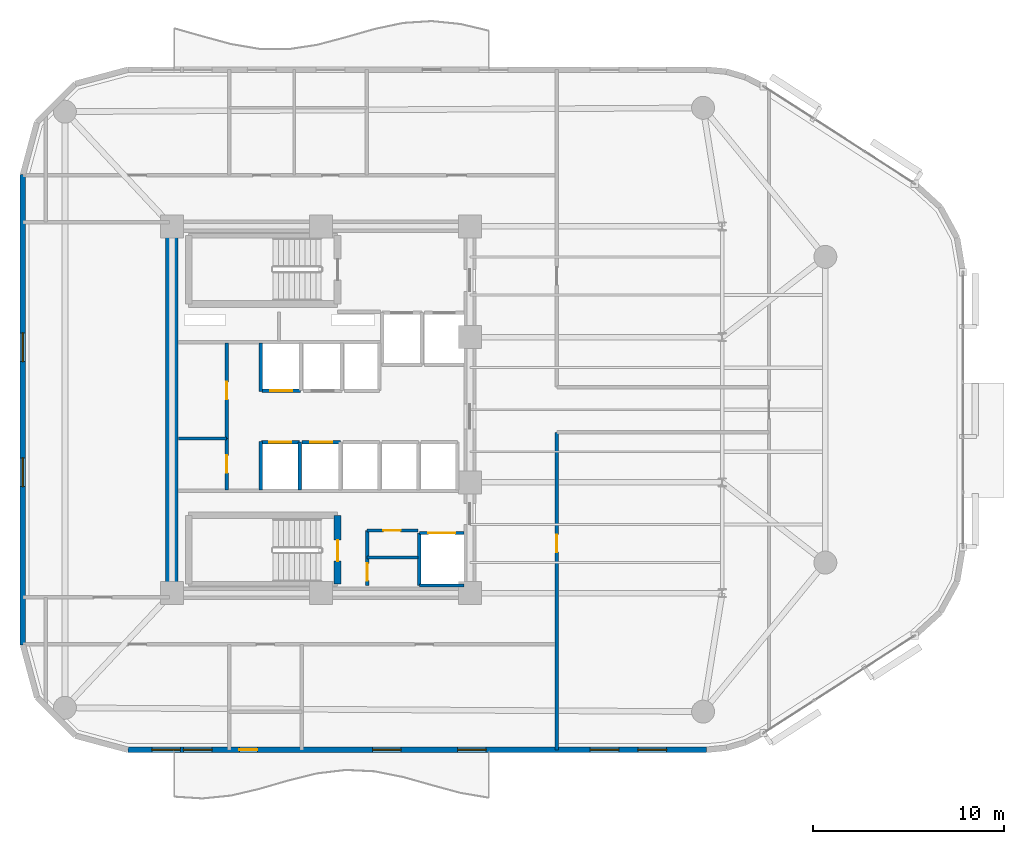
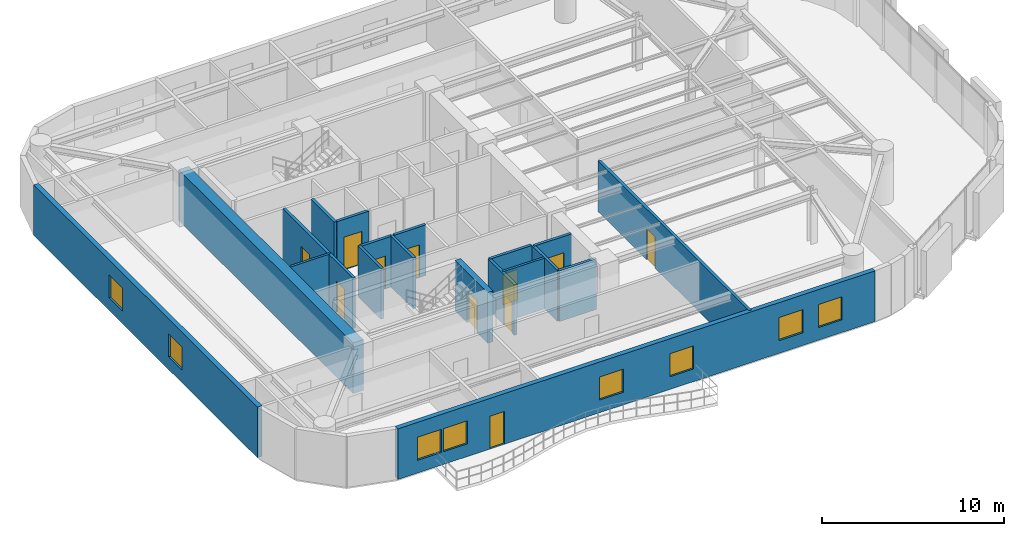
# One storey, part 10 of 14: 20 walls, 11 doors, 8 windows, 19 openings.
"""IFC4 building model written with IfcOpenShell, lengths in metres."""

from ifc_helpers import new_model, si_unit, direction, frame, frame_2d, origin, place, context, subcontext, project, spatial, rectangle, extrude, material, layer, layer_set, type_object, element, fill, save


model = new_model("IFC4")

# Units and contexts
model_context = context("Model", 3, precision=1e-05, world=origin(), true_north=direction((0.0, 1.0)))
body_context = subcontext(model_context, "Body", "Model", "MODEL_VIEW")
ifc_project = project(units=[si_unit("LENGTHUNIT", "METRE"), si_unit("AREAUNIT", "SQUARE_METRE"), si_unit("VOLUMEUNIT", "CUBIC_METRE"), si_unit("PLANEANGLEUNIT", "RADIAN"), si_unit("MASSUNIT", "GRAM", prefix="KILO")], contexts=[model_context])

# Site, building, storey
site_placement = place(None, origin())
site = spatial("IfcSite", under=ifc_project, at=site_placement, CompositionType="ELEMENT")
building_placement = place(site_placement, origin())
building = spatial("IfcBuilding", under=site, at=building_placement, Name="An Khanh Terracotta Commons", CompositionType="ELEMENT")
storey_placement = place(building_placement, frame((0.0, 0.0, 154.60009765625)))
storey = spatial("IfcBuildingStorey", under=building, at=storey_placement, Name="L40", CompositionType="ELEMENT", Elevation=154.60009765625)

# Wall
ifc_material_1 = material(Name="Concrete C60/75", Category="concrete")
ifc_layer_1 = layer(ifc_material_1, 0.64990234375, Name="Concrete C60/75")
ifc_layer_set_1 = layer_set([ifc_layer_1], Name="Concrete C60/75")
wall_type_1 = type_object("IfcWallType", Name="WALL-CORE-650", PredefinedType="SHEAR", material=ifc_layer_set_1)
wall_1_placement = place(storey_placement, frame((21.60009765625, 14.39990234375, 0.0), z_axis=(0.0, 0.0, 1.0), x_axis=(0.0, 1.0, 0.0)))
element("IfcWall", 1, at=wall_1_placement, inside=storey, type_object=wall_type_1, Name="L40 Core Wall CWALL-L40-W", PredefinedType="SHEAR", context=body_context, shape_type="SweptSolid", body=[
    extrude(rectangle(XDim=19.2001953125, YDim=0.64990234375, at=frame_2d((9.60009765625, 0.0))), origin(), (0.0, 0.0, 1.0), 3.39990234375),
])

# Wall, opening, door
ifc_material_2 = material(Name="Fire-Rated Gypsum Board on Steel Stud", Category="steel")
ifc_layer_2 = layer(ifc_material_2, 0.179931640625, Name="Fire-Rated Gypsum Board on Steel Stud")
ifc_layer_set_2 = layer_set([ifc_layer_2], Name="Fire-Rated Gypsum Board on Steel Stud")
wall_type_2 = type_object("IfcWallType", Name="WALL-CORR-180", PredefinedType="PARTITIONING", material=ifc_layer_set_2)
wall_2_placement = place(storey_placement, frame((31.820068359375, 17.679931640625, 0.0), z_axis=(0.0, 0.0, 1.0), x_axis=(1.0, 0.0, 0.0)))
wall_2 = element("IfcWall", 2, at=wall_2_placement, inside=storey, type_object=wall_type_2, Name="L40 Core Wall SSVCW-L40-N", PredefinedType="PARTITIONING", context=body_context, shape_type="SweptSolid", body=[
    extrude(rectangle(XDim=2.659912109375, YDim=0.179931640625, at=frame_2d((1.330078125, 0.0))), origin(), (0.0, 0.0, 1.0), 3.39990234375),
])
opening_1_placement = place(wall_2_placement, frame((0.85009765625, 0.0, 0.0)))
opening_1 = element("IfcOpeningElement", 3, at=opening_1_placement, cuts=wall_2, Name="Opening D-SV", PredefinedType="OPENING", context=body_context, shape_type="SweptSolid", body=[
    extrude(rectangle(XDim=0.89990234375, YDim=2.050048828125, at=frame_2d((0.449951171875, 1.02490234375))), frame((0.0, 0.099853515625, 0.0), z_axis=(0.0, -1.0, 0.0), x_axis=(1.0, 0.0, 0.0)), (0.0, 0.0, 1.0), 0.199951171875),
])
ifc_material_3 = material(Name="Fire-Rated Powder-Coated Steel Door", Category="steel")
door_type_1 = type_object("IfcDoorType", Name="DOOR-SERV-900", OperationType="NOTDEFINED", PredefinedType="DOOR", material=ifc_material_3)
door_1_placement = place(opening_1_placement, origin())
door_1 = element("IfcDoor", 4, at=door_1_placement, inside=storey, type_object=door_type_1, Name="L40 Core Cleaner Store Door", OperationType="SINGLE_SWING_RIGHT", OverallHeight=2.050048828125, OverallWidth=0.89990234375, PredefinedType="DOOR", context=body_context, shape_type="SweptSolid", body=[
    extrude(rectangle(XDim=0.89990234375, YDim=2.050048828125, at=frame_2d((0.449951171875, 1.02490234375))), frame((0.0, 0.02490234375, 0.0), z_axis=(0.0, -1.0, 0.0), x_axis=(1.0, 0.0, 0.0)), (0.0, 0.0, 1.0), 0.050048828125),
])
fill(opening_1, door_1)

wall_3_placement = place(storey_placement, frame((31.820068359375, 14.800048828125, 0.0), z_axis=(0.0, 0.0, 1.0), x_axis=(0.0, 1.0, 0.0)))
wall_3 = element("IfcWall", 5, at=wall_3_placement, inside=storey, type_object=wall_type_2, Name="L40 Core Wall SSVCW-L40-W", PredefinedType="PARTITIONING", context=body_context, shape_type="SweptSolid", body=[
    extrude(rectangle(XDim=2.8798828125, YDim=0.179931640625, at=frame_2d((1.43994140625, 0.0))), origin(), (0.0, 0.0, 1.0), 3.39990234375),
])
opening_2_placement = place(wall_3_placement, frame((0.260009765625, 0.0, 0.0)))
opening_2 = element("IfcOpeningElement", 6, at=opening_2_placement, cuts=wall_3, Name="Opening D-SV", PredefinedType="OPENING", context=body_context, shape_type="SweptSolid", body=[
    extrude(rectangle(XDim=0.89990234375, YDim=2.050048828125, at=frame_2d((0.449951171875, 1.02490234375))), frame((0.0, 0.099853515625, 0.0), z_axis=(0.0, -1.0, 0.0), x_axis=(1.0, 0.0, 0.0)), (0.0, 0.0, 1.0), 0.199951171875),
])
door_2_placement = place(opening_2_placement, origin())
door_2 = element("IfcDoor", 7, at=door_2_placement, inside=storey, type_object=door_type_1, Name="L40 Telecoms BMS Cupboard Door", OperationType="SINGLE_SWING_LEFT", OverallHeight=2.050048828125, OverallWidth=0.89990234375, PredefinedType="DOOR", context=body_context, shape_type="SweptSolid", body=[
    extrude(rectangle(XDim=0.89990234375, YDim=2.050048828125, at=frame_2d((0.449951171875, 1.02490234375))), frame((0.0, 0.02490234375, 0.0), z_axis=(0.0, -1.0, 0.0), x_axis=(1.0, 0.0, 0.0)), (0.0, 0.0, 1.0), 0.050048828125),
])
fill(opening_2, door_2)

wall_4_placement = place(storey_placement, frame((34.550048828125, 17.550048828125, 0.0), z_axis=(0.0, 0.0, 1.0), x_axis=(1.0, 0.0, 0.0)))
wall_4 = element("IfcWall", 8, at=wall_4_placement, inside=storey, type_object=wall_type_2, Name="L40 Core Wall LSH-L40-SVL-01-N", PredefinedType="PARTITIONING", context=body_context, shape_type="SweptSolid", body=[
    extrude(rectangle(XDim=2.349853515625, YDim=0.179931640625, at=frame_2d((1.1748046875, 0.0))), origin(), (0.0, 0.0, 1.0), 3.39990234375),
])
opening_3_placement = place(wall_4_placement, frame((0.47509765625, 0.0, 0.0)))
opening_3 = element("IfcOpeningElement", 9, at=opening_3_placement, cuts=wall_4, Name="Opening LD-SVL-01-L40", PredefinedType="OPENING", context=body_context, shape_type="SweptSolid", body=[
    extrude(rectangle(XDim=1.39990234375, YDim=2.300048828125, at=frame_2d((0.699951171875, 1.14990234375))), frame((0.0, 0.099853515625, 0.0), z_axis=(0.0, -1.0, 0.0), x_axis=(1.0, 0.0, 0.0)), (0.0, 0.0, 1.0), 0.199951171875),
])
ifc_material_4 = material(Name="Heavy-Duty Stainless Steel Goods Landing Door", Category="steel")
door_type_2 = type_object("IfcDoorType", Name="DOOR-LD-SVL-1400", OperationType="NOTDEFINED", PredefinedType="DOOR", material=ifc_material_4)
door_3_placement = place(opening_3_placement, origin())
door_3 = element("IfcDoor", 10, at=door_3_placement, inside=storey, type_object=door_type_2, Name="L40 Lift SVL-01 Sliding Landing Door", OperationType="DOUBLE_DOOR_SLIDING", OverallHeight=2.300048828125, OverallWidth=1.39990234375, PredefinedType="DOOR", context=body_context, shape_type="SweptSolid", body=[
    extrude(rectangle(XDim=1.39990234375, YDim=2.300048828125, at=frame_2d((0.699951171875, 1.14990234375))), frame((0.0, 0.02490234375, 0.0), z_axis=(0.0, -1.0, 0.0), x_axis=(1.0, 0.0, 0.0)), (0.0, 0.0, 1.0), 0.050048828125),
])
fill(opening_3, door_3)

# Walls
wall_5_placement = place(storey_placement, frame((36.89990234375, 14.800048828125, 0.0), z_axis=(0.0, 0.0, 1.0), x_axis=(-1.0, 0.0, 0.0)))
element("IfcWall", 11, at=wall_5_placement, inside=storey, type_object=wall_type_2, Name="L40 Core Wall LSH-L40-SVL-01-S", PredefinedType="PARTITIONING", context=body_context, shape_type="SweptSolid", body=[
    extrude(rectangle(XDim=2.349853515625, YDim=0.179931640625, at=frame_2d((1.1748046875, 0.0))), origin(), (0.0, 0.0, 1.0), 3.39990234375),
])
wall_6_placement = place(storey_placement, frame((34.550048828125, 17.550048828125, 0.0), z_axis=(0.0, 0.0, 1.0), x_axis=(0.0, -1.0, 0.0)))
element("IfcWall", 12, at=wall_6_placement, inside=storey, type_object=wall_type_2, Name="L40 Core Wall LSH-L40-SVL-01-W", PredefinedType="PARTITIONING", context=body_context, shape_type="SweptSolid", body=[
    extrude(rectangle(XDim=2.75, YDim=0.179931640625, at=frame_2d((1.375, 0.0))), origin(), (0.0, 0.0, 1.0), 3.39990234375),
])

# Wall, opening, door
wall_7_placement = place(storey_placement, frame((28.340087890625, 25.0, 0.0), z_axis=(0.0, 0.0, 1.0), x_axis=(-1.0, 0.0, 0.0)))
wall_7 = element("IfcWall", 13, at=wall_7_placement, inside=storey, type_object=wall_type_2, Name="L40 Core Wall LSH-L40-PL-M1-S", PredefinedType="PARTITIONING", context=body_context, shape_type="SweptSolid", body=[
    extrude(rectangle(XDim=2.02001953125, YDim=0.179931640625, at=frame_2d((1.010009765625, 0.0))), origin(), (0.0, 0.0, 1.0), 3.39990234375),
])
opening_4_placement = place(wall_7_placement, frame((0.43505859375, 0.0, 0.0)))
opening_4 = element("IfcOpeningElement", 14, at=opening_4_placement, cuts=wall_7, Name="Opening LD-PL-M1-L40", PredefinedType="OPENING", context=body_context, shape_type="SweptSolid", body=[
    extrude(rectangle(XDim=1.14990234375, YDim=2.199951171875, at=frame_2d((0.574951171875, 1.10009765625))), frame((0.0, 0.099853515625, 0.0), z_axis=(0.0, -1.0, 0.0), x_axis=(1.0, 0.0, 0.0)), (0.0, 0.0, 1.0), 0.199951171875),
])
ifc_material_5 = material(Name="Brushed Stainless Steel Passenger Landing Door", Category="steel")
door_type_3 = type_object("IfcDoorType", Name="DOOR-LD-PAX-1150", OperationType="NOTDEFINED", PredefinedType="DOOR", material=ifc_material_5)
door_4_placement = place(opening_4_placement, origin())
door_4 = element("IfcDoor", 15, at=door_4_placement, inside=storey, type_object=door_type_3, Name="L40 Lift PL-M1 Sliding Landing Door", OperationType="DOUBLE_DOOR_SLIDING", OverallHeight=2.199951171875, OverallWidth=1.14990234375, PredefinedType="DOOR", context=body_context, shape_type="SweptSolid", body=[
    extrude(rectangle(XDim=1.14990234375, YDim=2.199951171875, at=frame_2d((0.574951171875, 1.10009765625))), frame((0.0, 0.02490234375, 0.0), z_axis=(0.0, -1.0, 0.0), x_axis=(1.0, 0.0, 0.0)), (0.0, 0.0, 1.0), 0.050048828125),
])
fill(opening_4, door_4)

wall_8_placement = place(storey_placement, frame((26.280029296875, 22.300048828125, 0.0), z_axis=(0.0, 0.0, 1.0), x_axis=(1.0, 0.0, 0.0)))
wall_8 = element("IfcWall", 16, at=wall_8_placement, inside=storey, type_object=wall_type_2, Name="L40 Core Wall LSH-L40-PL-M3-N", PredefinedType="PARTITIONING", context=body_context, shape_type="SweptSolid", body=[
    extrude(rectangle(XDim=2.0, YDim=0.179931640625, at=frame_2d((1.0, 0.0))), origin(), (0.0, 0.0, 1.0), 3.39990234375),
])
opening_5_placement = place(wall_8_placement, frame((0.425048828125, 0.0, 0.0)))
opening_5 = element("IfcOpeningElement", 17, at=opening_5_placement, cuts=wall_8, Name="Opening LD-PL-M3-L40", PredefinedType="OPENING", context=body_context, shape_type="SweptSolid", body=[
    extrude(rectangle(XDim=1.14990234375, YDim=2.199951171875, at=frame_2d((0.574951171875, 1.10009765625))), frame((0.0, 0.099853515625, 0.0), z_axis=(0.0, -1.0, 0.0), x_axis=(1.0, 0.0, 0.0)), (0.0, 0.0, 1.0), 0.199951171875),
])
door_5_placement = place(opening_5_placement, origin())
door_5 = element("IfcDoor", 18, at=door_5_placement, inside=storey, type_object=door_type_3, Name="L40 Lift PL-M3 Sliding Landing Door", OperationType="DOUBLE_DOOR_SLIDING", OverallHeight=2.199951171875, OverallWidth=1.14990234375, PredefinedType="DOOR", context=body_context, shape_type="SweptSolid", body=[
    extrude(rectangle(XDim=1.14990234375, YDim=2.199951171875, at=frame_2d((0.574951171875, 1.10009765625))), frame((0.0, 0.02490234375, 0.0), z_axis=(0.0, -1.0, 0.0), x_axis=(1.0, 0.0, 0.0)), (0.0, 0.0, 1.0), 0.050048828125),
])
fill(opening_5, door_5)

# Wall
wall_9_placement = place(storey_placement, frame((28.280029296875, 19.800048828125, 0.0), z_axis=(0.0, 0.0, 1.0), x_axis=(0.0, 1.0, 0.0)))
element("IfcWall", 19, at=wall_9_placement, inside=storey, type_object=wall_type_2, Name="L40 Core Wall LSH-L40-PL-M3-E", PredefinedType="PARTITIONING", context=body_context, shape_type="SweptSolid", body=[
    extrude(rectangle(XDim=2.5, YDim=0.179931640625, at=frame_2d((1.25, 0.0))), origin(), (0.0, 0.0, 1.0), 3.39990234375),
])

# Wall, opening, door
wall_10_placement = place(storey_placement, frame((28.419921875, 22.300048828125, 0.0), z_axis=(0.0, 0.0, 1.0), x_axis=(1.0, 0.0, 0.0)))
wall_10 = element("IfcWall", 20, at=wall_10_placement, inside=storey, type_object=wall_type_2, Name="L40 Core Wall LSH-L40-PL-M4-N", PredefinedType="PARTITIONING", context=body_context, shape_type="SweptSolid", body=[
    extrude(rectangle(XDim=2.0, YDim=0.179931640625, at=frame_2d((1.0, 0.0))), origin(), (0.0, 0.0, 1.0), 3.39990234375),
])
opening_6_placement = place(wall_10_placement, frame((0.425048828125, 0.0, 0.0)))
opening_6 = element("IfcOpeningElement", 21, at=opening_6_placement, cuts=wall_10, Name="Opening LD-PL-M4-L40", PredefinedType="OPENING", context=body_context, shape_type="SweptSolid", body=[
    extrude(rectangle(XDim=1.14990234375, YDim=2.199951171875, at=frame_2d((0.574951171875, 1.10009765625))), frame((0.0, 0.099853515625, 0.0), z_axis=(0.0, -1.0, 0.0), x_axis=(1.0, 0.0, 0.0)), (0.0, 0.0, 1.0), 0.199951171875),
])
door_6_placement = place(opening_6_placement, origin())
door_6 = element("IfcDoor", 22, at=door_6_placement, inside=storey, type_object=door_type_3, Name="L40 Lift PL-M4 Sliding Landing Door", OperationType="DOUBLE_DOOR_SLIDING", OverallHeight=2.199951171875, OverallWidth=1.14990234375, PredefinedType="DOOR", context=body_context, shape_type="SweptSolid", body=[
    extrude(rectangle(XDim=1.14990234375, YDim=2.199951171875, at=frame_2d((0.574951171875, 1.10009765625))), frame((0.0, 0.02490234375, 0.0), z_axis=(0.0, -1.0, 0.0), x_axis=(1.0, 0.0, 0.0)), (0.0, 0.0, 1.0), 0.050048828125),
])
fill(opening_6, door_6)

wall_11_placement = place(storey_placement, frame((24.4599609375, 22.5, 0.0), z_axis=(0.0, 0.0, 1.0), x_axis=(0.0, 1.0, 0.0)))
wall_11 = element("IfcWall", 23, at=wall_11_placement, inside=storey, type_object=wall_type_2, Name="L40 Core Wall RECW-L40-E1", PredefinedType="PARTITIONING", context=body_context, shape_type="SweptSolid", body=[
    extrude(rectangle(XDim=5.0, YDim=0.179931640625, at=frame_2d((2.5, 0.0))), origin(), (0.0, 0.0, 1.0), 3.39990234375),
])
opening_7_placement = place(wall_11_placement, frame((2.0400390625, 0.0, 0.0)))
opening_7 = element("IfcOpeningElement", 24, at=opening_7_placement, cuts=wall_11, Name="Opening D-RM", PredefinedType="OPENING", context=body_context, shape_type="SweptSolid", body=[
    extrude(rectangle(XDim=0.919921875, YDim=2.10009765625, at=frame_2d((0.4599609375, 1.050048828125))), frame((0.0, 0.099853515625, 0.0), z_axis=(0.0, -1.0, 0.0), x_axis=(1.0, 0.0, 0.0)), (0.0, 0.0, 1.0), 0.199951171875),
])
ifc_material_6 = material(Name="Engineered Hardwood Timber Leaf", Category="wood")
door_type_4 = type_object("IfcDoorType", Name="DOOR-INT-920", OperationType="NOTDEFINED", PredefinedType="DOOR", material=ifc_material_6)
door_7_placement = place(opening_7_placement, origin())
door_7 = element("IfcDoor", 25, at=door_7_placement, inside=storey, type_object=door_type_4, Name="L40 Resident Study Pod Door", OperationType="SINGLE_SWING_RIGHT", OverallHeight=2.10009765625, OverallWidth=0.919921875, PredefinedType="DOOR", context=body_context, shape_type="SweptSolid", body=[
    extrude(rectangle(XDim=0.919921875, YDim=2.10009765625, at=frame_2d((0.4599609375, 1.050048828125))), frame((0.0, 0.02490234375, 0.0), z_axis=(0.0, -1.0, 0.0), x_axis=(1.0, 0.0, 0.0)), (0.0, 0.0, 1.0), 0.050048828125),
])
fill(opening_7, door_7)

wall_12_placement = place(storey_placement, frame((24.4599609375, 19.800048828125, 0.0), z_axis=(0.0, 0.0, 1.0), x_axis=(0.0, 1.0, 0.0)))
wall_12 = element("IfcWall", 26, at=wall_12_placement, inside=storey, type_object=wall_type_2, Name="L40 Core Wall RECW-L40-E2", PredefinedType="PARTITIONING", context=body_context, shape_type="SweptSolid", body=[
    extrude(rectangle(XDim=2.699951171875, YDim=0.179931640625, at=frame_2d((1.35009765625, 0.0))), origin(), (0.0, 0.0, 1.0), 3.39990234375),
])
opening_8_placement = place(wall_12_placement, frame((0.889892578125, 0.0, 0.0)))
opening_8 = element("IfcOpeningElement", 27, at=opening_8_placement, cuts=wall_12, Name="Opening D-RM", PredefinedType="OPENING", context=body_context, shape_type="SweptSolid", body=[
    extrude(rectangle(XDim=0.919921875, YDim=2.10009765625, at=frame_2d((0.4599609375, 1.050048828125))), frame((0.0, 0.099853515625, 0.0), z_axis=(0.0, -1.0, 0.0), x_axis=(1.0, 0.0, 0.0)), (0.0, 0.0, 1.0), 0.199951171875),
])
door_8_placement = place(opening_8_placement, origin())
door_8 = element("IfcDoor", 28, at=door_8_placement, inside=storey, type_object=door_type_4, Name="L40 Communal Laundry Room Door", OperationType="SINGLE_SWING_LEFT", OverallHeight=2.10009765625, OverallWidth=0.919921875, PredefinedType="DOOR", context=body_context, shape_type="SweptSolid", body=[
    extrude(rectangle(XDim=0.919921875, YDim=2.10009765625, at=frame_2d((0.4599609375, 1.050048828125))), frame((0.0, 0.02490234375, 0.0), z_axis=(0.0, -1.0, 0.0), x_axis=(1.0, 0.0, 0.0)), (0.0, 0.0, 1.0), 0.050048828125),
])
fill(opening_8, door_8)

# Walls
for number, where, z_axis, x_axis, name in (
    (29, (26.25, 24.949951171875, 0.0), (0.0, 0.0, 1.0), (0.0, 1.0, 0.0), "L40 Core Wall RECW-L40-BE1"),
    (30, (26.25, 19.800048828125, 0.0), (0.0, 0.0, 1.0), (0.0, 1.0, 0.0), "L40 Core Wall RECW-L40-BE2"),
):
    element("IfcWall", number, at=place(storey_placement, frame(where, z_axis=z_axis, x_axis=x_axis)), inside=storey, type_object=wall_type_2, Name=name, PredefinedType="PARTITIONING", context=body_context, shape_type="SweptSolid", body=[
        extrude(rectangle(XDim=2.550048828125, YDim=0.179931640625, at=frame_2d((1.27490234375, 0.0))), origin(), (0.0, 0.0, 1.0), 3.39990234375),
    ])

# Wall, opening, door
wall_13_placement = place(storey_placement, frame((41.75, 6.199951171875, 0.0), z_axis=(0.0, 0.0, 1.0), x_axis=(0.0, 1.0, 0.0)))
wall_13 = element("IfcWall", 31, at=wall_13_placement, inside=storey, type_object=wall_type_2, Name="L40 Interior Partition IW-L40-E016", PredefinedType="PARTITIONING", context=body_context, shape_type="SweptSolid", body=[
    extrude(rectangle(XDim=16.6201171875, YDim=0.179931640625, at=frame_2d((8.31005859375, 0.0))), origin(), (0.0, 0.0, 1.0), 3.39990234375),
])
opening_9_placement = place(wall_13_placement, frame((10.35009765625, 0.0, 0.0)))
opening_9 = element("IfcOpeningElement", 32, at=opening_9_placement, cuts=wall_13, Name="Opening D-RM", PredefinedType="OPENING", context=body_context, shape_type="SweptSolid", body=[
    extrude(rectangle(XDim=0.919921875, YDim=2.10009765625, at=frame_2d((0.4599609375, 1.050048828125))), frame((0.0, 0.099853515625, 0.0), z_axis=(0.0, -1.0, 0.0), x_axis=(1.0, 0.0, 0.0)), (0.0, 0.0, 1.0), 0.199951171875),
])
door_9_placement = place(opening_9_placement, origin())
door_9 = element("IfcDoor", 33, at=door_9_placement, inside=storey, type_object=door_type_4, Name="L40 SPN2 Riverfront Reading Hall Door", OperationType="SINGLE_SWING_RIGHT", OverallHeight=2.10009765625, OverallWidth=0.919921875, PredefinedType="DOOR", context=body_context, shape_type="SweptSolid", body=[
    extrude(rectangle(XDim=0.919921875, YDim=2.10009765625, at=frame_2d((0.4599609375, 1.050048828125))), frame((0.0, 0.02490234375, 0.0), z_axis=(0.0, -1.0, 0.0), x_axis=(1.0, 0.0, 0.0)), (0.0, 0.0, 1.0), 0.050048828125),
])
fill(opening_9, door_9)

# Wall, openings, door, windows
ifc_material_7 = material(Name="Precast concrete C40/50", Category="concrete")
ifc_layer_3 = layer(ifc_material_7, 0.300048828125, Name="Precast concrete C40/50")
ifc_layer_set_3 = layer_set([ifc_layer_3], Name="Precast concrete C40/50")
wall_type_3 = type_object("IfcWallType", Name="WALL-EXT-300", PredefinedType="SOLIDWALL", material=ifc_layer_set_3)
wall_14_placement = place(storey_placement, frame((19.300048828125, 6.199951171875, 0.0), z_axis=(0.0, 0.0, 1.0), x_axis=(1.0, 0.0, 0.0)))
wall_14 = element("IfcWall", 34, at=wall_14_placement, inside=storey, type_object=wall_type_3, Name="L40 Insulated Terracotta Exterior Wall 4", PredefinedType="SOLIDWALL", context=body_context, shape_type="SweptSolid", body=[
    extrude(rectangle(XDim=30.281982421875, YDim=0.300048828125, at=frame_2d((15.14111328125, 0.0))), origin(), (0.0, 0.0, 1.0), 3.39990234375),
])
opening_10_placement = place(wall_14_placement, frame((5.824951171875, 0.0, 0.0)))
opening_10 = element("IfcOpeningElement", 35, at=opening_10_placement, cuts=wall_14, Name="Opening D-BAL", PredefinedType="OPENING", context=body_context, shape_type="SweptSolid", body=[
    extrude(rectangle(XDim=0.949951171875, YDim=2.199951171875, at=frame_2d((0.47509765625, 1.10009765625))), frame((0.0, 0.159912109375, 0.0), z_axis=(0.0, -1.0, 0.0), x_axis=(1.0, 0.0, 0.0)), (0.0, 0.0, 1.0), 0.320068359375),
])
opening_11_placement = place(wall_14_placement, frame((1.25, 0.0, 0.85009765625)))
opening_11 = element("IfcOpeningElement", 36, at=opening_11_placement, cuts=wall_14, Name="Opening W-03", PredefinedType="OPENING", context=body_context, shape_type="SweptSolid", body=[
    extrude(rectangle(XDim=1.5, YDim=1.550048828125, at=frame_2d((0.75, 0.77490234375))), frame((0.0, 0.159912109375, 0.0), z_axis=(0.0, -1.0, 0.0), x_axis=(1.0, 0.0, 0.0)), (0.0, 0.0, 1.0), 0.320068359375),
])
opening_12_placement = place(wall_14_placement, frame((2.89990234375, 0.0, 0.85009765625)))
opening_12 = element("IfcOpeningElement", 37, at=opening_12_placement, cuts=wall_14, Name="Opening W-03", PredefinedType="OPENING", context=body_context, shape_type="SweptSolid", body=[
    extrude(rectangle(XDim=1.5, YDim=1.550048828125, at=frame_2d((0.75, 0.77490234375))), frame((0.0, 0.159912109375, 0.0), z_axis=(0.0, -1.0, 0.0), x_axis=(1.0, 0.0, 0.0)), (0.0, 0.0, 1.0), 0.320068359375),
])
opening_13_placement = place(wall_14_placement, frame((12.800048828125, 0.0, 0.85009765625)))
opening_13 = element("IfcOpeningElement", 38, at=opening_13_placement, cuts=wall_14, Name="Opening W-03", PredefinedType="OPENING", context=body_context, shape_type="SweptSolid", body=[
    extrude(rectangle(XDim=1.5, YDim=1.550048828125, at=frame_2d((0.75, 0.77490234375))), frame((0.0, 0.159912109375, 0.0), z_axis=(0.0, -1.0, 0.0), x_axis=(1.0, 0.0, 0.0)), (0.0, 0.0, 1.0), 0.320068359375),
])
opening_14_placement = place(wall_14_placement, frame((17.25, 0.0, 0.85009765625)))
opening_14 = element("IfcOpeningElement", 39, at=opening_14_placement, cuts=wall_14, Name="Opening W-03", PredefinedType="OPENING", context=body_context, shape_type="SweptSolid", body=[
    extrude(rectangle(XDim=1.5, YDim=1.550048828125, at=frame_2d((0.75, 0.77490234375))), frame((0.0, 0.159912109375, 0.0), z_axis=(0.0, -1.0, 0.0), x_axis=(1.0, 0.0, 0.0)), (0.0, 0.0, 1.0), 0.320068359375),
])
opening_15_placement = place(wall_14_placement, frame((24.194091796875, 0.0, 0.85009765625)))
opening_15 = element("IfcOpeningElement", 40, at=opening_15_placement, cuts=wall_14, Name="Opening W-03", PredefinedType="OPENING", context=body_context, shape_type="SweptSolid", body=[
    extrude(rectangle(XDim=1.5, YDim=1.550048828125, at=frame_2d((0.75, 0.77490234375))), frame((0.0, 0.159912109375, 0.0), z_axis=(0.0, -1.0, 0.0), x_axis=(1.0, 0.0, 0.0)), (0.0, 0.0, 1.0), 0.320068359375),
])
opening_16_placement = place(wall_14_placement, frame((26.68798828125, 0.0, 0.85009765625)))
opening_16 = element("IfcOpeningElement", 41, at=opening_16_placement, cuts=wall_14, Name="Opening W-03", PredefinedType="OPENING", context=body_context, shape_type="SweptSolid", body=[
    extrude(rectangle(XDim=1.5, YDim=1.550048828125, at=frame_2d((0.75, 0.77490234375))), frame((0.0, 0.159912109375, 0.0), z_axis=(0.0, -1.0, 0.0), x_axis=(1.0, 0.0, 0.0)), (0.0, 0.0, 1.0), 0.320068359375),
])
ifc_material_8 = material(Name="Thermally Broken Aluminium and Low-E Glass", Category="aluminium")
door_type_5 = type_object("IfcDoorType", Name="DOOR-BALC-950", OperationType="NOTDEFINED", PredefinedType="DOOR", material=ifc_material_8)
door_10_placement = place(opening_10_placement, origin())
door_10 = element("IfcDoor", 42, at=door_10_placement, inside=storey, type_object=door_type_5, Name="L40 S Wave Balcony Glazed Door", OperationType="SINGLE_SWING_LEFT", OverallHeight=2.199951171875, OverallWidth=0.949951171875, PredefinedType="DOOR", context=body_context, shape_type="SweptSolid", body=[
    extrude(rectangle(XDim=0.949951171875, YDim=2.199951171875, at=frame_2d((0.47509765625, 1.10009765625))), frame((0.0, 0.02490234375, 0.0), z_axis=(0.0, -1.0, 0.0), x_axis=(1.0, 0.0, 0.0)), (0.0, 0.0, 1.0), 0.050048828125),
])
fill(opening_10, door_10)
window_type = type_object("IfcWindowType", Name="WIN-Z3-1500x1550", PartitioningType="DOUBLE_PANEL_VERTICAL", PredefinedType="WINDOW", material=ifc_material_8)
window_1_placement = place(opening_11_placement, origin())
window_1 = element("IfcWindow", 43, at=window_1_placement, inside=storey, type_object=window_type, Name="L40 Operable Casement Window 4.1", OverallHeight=1.550048828125, OverallWidth=1.5, PartitioningType="DOUBLE_PANEL_VERTICAL", PredefinedType="WINDOW", context=body_context, shape_type="SweptSolid", body=[
    extrude(rectangle(XDim=1.5, YDim=1.550048828125, at=frame_2d((0.75, 0.77490234375))), frame((0.0, 0.030029296875, 0.0), z_axis=(0.0, -1.0, 0.0), x_axis=(1.0, 0.0, 0.0)), (0.0, 0.0, 1.0), 0.06005859375),
])
fill(opening_11, window_1)
window_2_placement = place(opening_12_placement, origin())
window_2 = element("IfcWindow", 44, at=window_2_placement, inside=storey, type_object=window_type, Name="L40 Operable Casement Window 4.2", OverallHeight=1.550048828125, OverallWidth=1.5, PartitioningType="DOUBLE_PANEL_VERTICAL", PredefinedType="WINDOW", context=body_context, shape_type="SweptSolid", body=[
    extrude(rectangle(XDim=1.5, YDim=1.550048828125, at=frame_2d((0.75, 0.77490234375))), frame((0.0, 0.030029296875, 0.0), z_axis=(0.0, -1.0, 0.0), x_axis=(1.0, 0.0, 0.0)), (0.0, 0.0, 1.0), 0.06005859375),
])
fill(opening_12, window_2)
window_3_placement = place(opening_13_placement, origin())
window_3 = element("IfcWindow", 45, at=window_3_placement, inside=storey, type_object=window_type, Name="L40 Operable Casement Window 4.3", OverallHeight=1.550048828125, OverallWidth=1.5, PartitioningType="DOUBLE_PANEL_VERTICAL", PredefinedType="WINDOW", context=body_context, shape_type="SweptSolid", body=[
    extrude(rectangle(XDim=1.5, YDim=1.550048828125, at=frame_2d((0.75, 0.77490234375))), frame((0.0, 0.030029296875, 0.0), z_axis=(0.0, -1.0, 0.0), x_axis=(1.0, 0.0, 0.0)), (0.0, 0.0, 1.0), 0.06005859375),
])
fill(opening_13, window_3)
window_4_placement = place(opening_14_placement, origin())
window_4 = element("IfcWindow", 46, at=window_4_placement, inside=storey, type_object=window_type, Name="L40 Operable Casement Window 4.4", OverallHeight=1.550048828125, OverallWidth=1.5, PartitioningType="DOUBLE_PANEL_VERTICAL", PredefinedType="WINDOW", context=body_context, shape_type="SweptSolid", body=[
    extrude(rectangle(XDim=1.5, YDim=1.550048828125, at=frame_2d((0.75, 0.77490234375))), frame((0.0, 0.030029296875, 0.0), z_axis=(0.0, -1.0, 0.0), x_axis=(1.0, 0.0, 0.0)), (0.0, 0.0, 1.0), 0.06005859375),
])
fill(opening_14, window_4)
window_5_placement = place(opening_15_placement, origin())
window_5 = element("IfcWindow", 47, at=window_5_placement, inside=storey, type_object=window_type, Name="L40 Operable Casement Window 4.5", OverallHeight=1.550048828125, OverallWidth=1.5, PartitioningType="DOUBLE_PANEL_VERTICAL", PredefinedType="WINDOW", context=body_context, shape_type="SweptSolid", body=[
    extrude(rectangle(XDim=1.5, YDim=1.550048828125, at=frame_2d((0.75, 0.77490234375))), frame((0.0, 0.030029296875, 0.0), z_axis=(0.0, -1.0, 0.0), x_axis=(1.0, 0.0, 0.0)), (0.0, 0.0, 1.0), 0.06005859375),
])
fill(opening_15, window_5)
window_6_placement = place(opening_16_placement, origin())
window_6 = element("IfcWindow", 48, at=window_6_placement, inside=storey, type_object=window_type, Name="L40 Operable Casement Window 4.6", OverallHeight=1.550048828125, OverallWidth=1.5, PartitioningType="DOUBLE_PANEL_VERTICAL", PredefinedType="WINDOW", context=body_context, shape_type="SweptSolid", body=[
    extrude(rectangle(XDim=1.5, YDim=1.550048828125, at=frame_2d((0.75, 0.77490234375))), frame((0.0, 0.030029296875, 0.0), z_axis=(0.0, -1.0, 0.0), x_axis=(1.0, 0.0, 0.0)), (0.0, 0.0, 1.0), 0.06005859375),
])
fill(opening_16, window_6)

# Wall, openings, windows
wall_15_placement = place(storey_placement, frame((13.800048828125, 36.300048828125, 0.0), z_axis=(0.0, 0.0, 1.0), x_axis=(0.0, -1.0, 0.0)))
wall_15 = element("IfcWall", 49, at=wall_15_placement, inside=storey, type_object=wall_type_3, Name="L40 Insulated Terracotta Exterior Wall 24", PredefinedType="SOLIDWALL", context=body_context, shape_type="SweptSolid", body=[
    extrude(rectangle(XDim=24.60009765625, YDim=0.300048828125, at=frame_2d((12.300048828125, 0.0))), origin(), (0.0, 0.0, 1.0), 3.39990234375),
])
opening_17_placement = place(wall_15_placement, frame((8.277099609375, 0.0, 0.85009765625)))
opening_17 = element("IfcOpeningElement", 50, at=opening_17_placement, cuts=wall_15, Name="Opening W-03", PredefinedType="OPENING", context=body_context, shape_type="SweptSolid", body=[
    extrude(rectangle(XDim=1.5, YDim=1.550048828125, at=frame_2d((0.75, 0.77490234375))), frame((0.0, 0.159912109375, 0.0), z_axis=(0.0, -1.0, 0.0), x_axis=(1.0, 0.0, 0.0)), (0.0, 0.0, 1.0), 0.320068359375),
])
opening_18_placement = place(wall_15_placement, frame((14.822998046875, 0.0, 0.85009765625)))
opening_18 = element("IfcOpeningElement", 51, at=opening_18_placement, cuts=wall_15, Name="Opening W-03", PredefinedType="OPENING", context=body_context, shape_type="SweptSolid", body=[
    extrude(rectangle(XDim=1.5, YDim=1.550048828125, at=frame_2d((0.75, 0.77490234375))), frame((0.0, 0.159912109375, 0.0), z_axis=(0.0, -1.0, 0.0), x_axis=(1.0, 0.0, 0.0)), (0.0, 0.0, 1.0), 0.320068359375),
])
window_7_placement = place(opening_17_placement, origin())
window_7 = element("IfcWindow", 52, at=window_7_placement, inside=storey, type_object=window_type, Name="L40 Operable Casement Window 24.1", OverallHeight=1.550048828125, OverallWidth=1.5, PartitioningType="DOUBLE_PANEL_VERTICAL", PredefinedType="WINDOW", context=body_context, shape_type="SweptSolid", body=[
    extrude(rectangle(XDim=1.5, YDim=1.550048828125, at=frame_2d((0.75, 0.77490234375))), frame((0.0, 0.030029296875, 0.0), z_axis=(0.0, -1.0, 0.0), x_axis=(1.0, 0.0, 0.0)), (0.0, 0.0, 1.0), 0.06005859375),
])
fill(opening_17, window_7)
window_8_placement = place(opening_18_placement, origin())
window_8 = element("IfcWindow", 53, at=window_8_placement, inside=storey, type_object=window_type, Name="L40 Operable Casement Window 24.2", OverallHeight=1.550048828125, OverallWidth=1.5, PartitioningType="DOUBLE_PANEL_VERTICAL", PredefinedType="WINDOW", context=body_context, shape_type="SweptSolid", body=[
    extrude(rectangle(XDim=1.5, YDim=1.550048828125, at=frame_2d((0.75, 0.77490234375))), frame((0.0, 0.030029296875, 0.0), z_axis=(0.0, -1.0, 0.0), x_axis=(1.0, 0.0, 0.0)), (0.0, 0.0, 1.0), 0.06005859375),
])
fill(opening_18, window_8)

# Walls
ifc_material_9 = material(Name="Acoustic Gypsum Board Partition")
ifc_layer_4 = layer(ifc_material_9, 0.14990234375, Name="Acoustic Gypsum Board Partition")
ifc_layer_set_4 = layer_set([ifc_layer_4], Name="Acoustic Gypsum Board Partition")
wall_type_4 = type_object("IfcWallType", Name="WALL-PART-150", PredefinedType="PARTITIONING", material=ifc_layer_set_4)
wall_16_placement = place(storey_placement, frame((31.820068359375, 16.260009765625, 0.0), z_axis=(0.0, 0.0, 1.0), x_axis=(1.0, 0.0, 0.0)))
element("IfcWall", 54, at=wall_16_placement, inside=storey, type_object=wall_type_4, Name="L40 Core Wall SSVCW-L40-M", PredefinedType="PARTITIONING", context=body_context, shape_type="SweptSolid", body=[
    extrude(rectangle(XDim=2.659912109375, YDim=0.14990234375, at=frame_2d((1.330078125, 0.0))), origin(), (0.0, 0.0, 1.0), 3.39990234375),
])
wall_17_placement = place(storey_placement, frame((21.949951171875, 22.5, 0.0), z_axis=(0.0, 0.0, 1.0), x_axis=(1.0, 0.0, 0.0)))
element("IfcWall", 55, at=wall_17_placement, inside=storey, type_object=wall_type_4, Name="L40 Core Wall RECW-L40-M", PredefinedType="PARTITIONING", context=body_context, shape_type="SweptSolid", body=[
    extrude(rectangle(XDim=2.510009765625, YDim=0.14990234375, at=frame_2d((1.2548828125, 0.0))), origin(), (0.0, 0.0, 1.0), 3.39990234375),
])

# Wall, opening, door
ifc_material_10 = material(Name="Concrete C50/60", Category="concrete")
ifc_layer_5 = layer(ifc_material_10, 0.35009765625, Name="Concrete C50/60")
ifc_layer_set_5 = layer_set([ifc_layer_5], Name="Concrete C50/60")
wall_type_5 = type_object("IfcWallType", Name="WALL-SHAFT-350", PredefinedType="SOLIDWALL", material=ifc_layer_set_5)
wall_18_placement = place(storey_placement, frame((30.27001953125, 14.889892578125, 0.0), z_axis=(0.0, 0.0, 1.0), x_axis=(0.0, 1.0, 0.0)))
wall_18 = element("IfcWall", 56, at=wall_18_placement, inside=storey, type_object=wall_type_5, Name="L40 Core Wall STW-L40-S-E", PredefinedType="SOLIDWALL", context=body_context, shape_type="SweptSolid", body=[
    extrude(rectangle(XDim=3.580078125, YDim=0.35009765625, at=frame_2d((1.7900390625, 0.0))), origin(), (0.0, 0.0, 1.0), 3.39990234375),
])
opening_19_placement = place(wall_18_placement, frame((1.18994140625, 0.0, 0.0)))
opening_19 = element("IfcOpeningElement", 57, at=opening_19_placement, cuts=wall_18, Name="Opening D-ST", PredefinedType="OPENING", context=body_context, shape_type="SweptSolid", body=[
    extrude(rectangle(XDim=1.10009765625, YDim=2.14990234375, at=frame_2d((0.550048828125, 1.074951171875))), frame((0.0, 0.18505859375, 0.0), z_axis=(0.0, -1.0, 0.0), x_axis=(1.0, 0.0, 0.0)), (0.0, 0.0, 1.0), 0.3701171875),
])
ifc_material_11 = material(Name="Fire-Rated Steel Leaf and Frame", Category="steel")
door_type_6 = type_object("IfcDoorType", Name="DOOR-STAIR-1100", OperationType="NOTDEFINED", PredefinedType="DOOR", material=ifc_material_11)
door_11_placement = place(opening_19_placement, origin())
door_11 = element("IfcDoor", 58, at=door_11_placement, inside=storey, type_object=door_type_6, Name="L40 Stair ST-02 Fire Door", OperationType="SINGLE_SWING_LEFT", OverallHeight=2.14990234375, OverallWidth=1.10009765625, PredefinedType="DOOR", context=body_context, shape_type="SweptSolid", body=[
    extrude(rectangle(XDim=1.10009765625, YDim=2.14990234375, at=frame_2d((0.550048828125, 1.074951171875))), frame((0.0, 0.02490234375, 0.0), z_axis=(0.0, -1.0, 0.0), x_axis=(1.0, 0.0, 0.0)), (0.0, 0.0, 1.0), 0.050048828125),
])
fill(opening_19, door_11)

save(model, "model.ifc")
